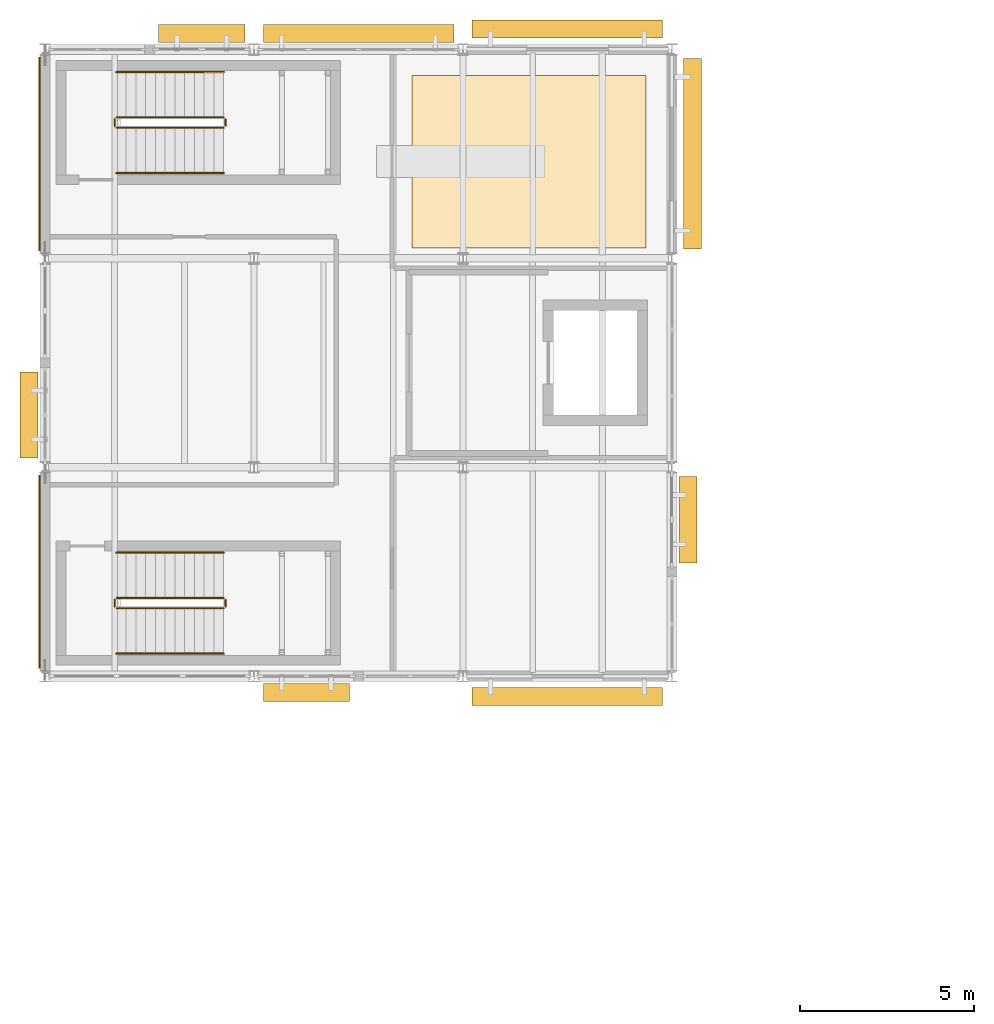
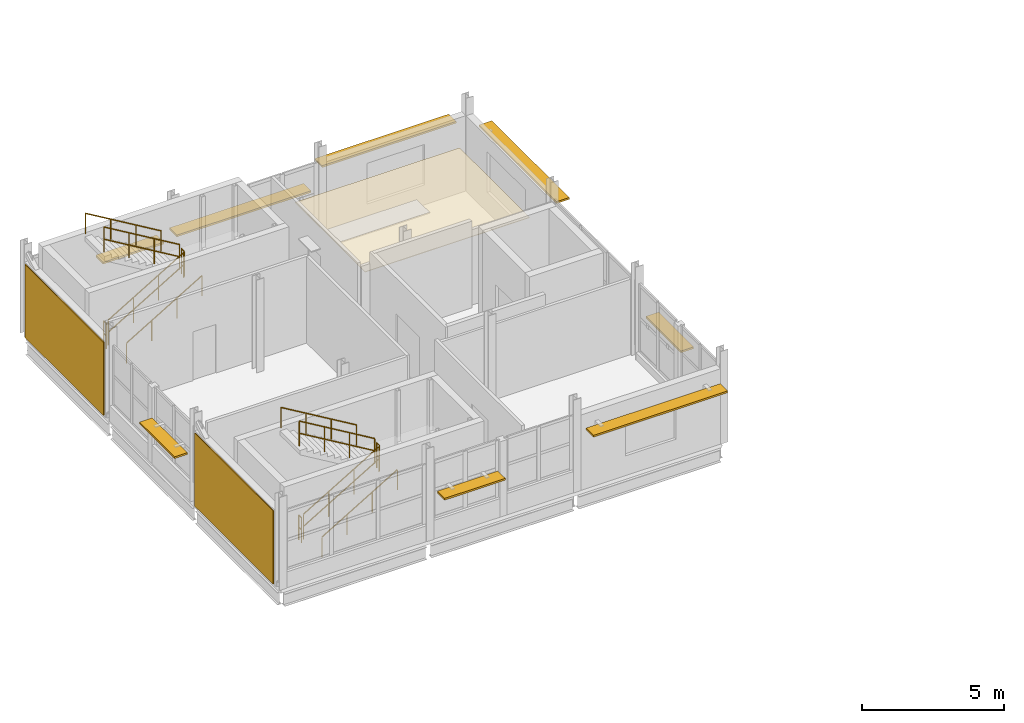
# One storey, part 44 of 45: 12 railings, 8 shading devices, 3 coverings.
"""IFC4 building model written with IfcOpenShell, lengths in metres."""

import ifcopenshell
import ifcopenshell.guid

model = None  # the IFC model being written
_history = None  # IfcOwnerHistory: only IFC2X3 demands one
_inside = {}  # id of a spatial element -> (the spatial element, [elements in it])
_under = {}  # id of a project, library or spatial element -> (it, [spatial elements below it])
_declared = {}  # id of a project -> (the project, [libraries it declares])
_typed = {}  # id of a type object -> (the type object, [elements of that type])
_made_of = {}  # id of a material, layer set ... -> (it, [elements and type objects made of it])


def new_model(schema):
    """Start an empty IFC model of exactly this schema.

    Asked for "IFC4X3", IfcOpenShell would pick the latest addendum, in which some entities
    have other attributes; the version numbers below select the first issue.
    IFC2X3 requires an IfcOwnerHistory on every rooted entity: one is made here for all.
    """
    global model, _history
    if schema == "IFC4X3":
        model = ifcopenshell.file(schema_version=(4, 3, 0, 0))
    else:
        model = ifcopenshell.file(schema=schema)
    _inside.clear()
    _under.clear()
    _declared.clear()
    _typed.clear()
    _made_of.clear()
    _history = None
    if model.schema == "IFC2X3":
        org = make("IfcOrganization", Name="unknown")
        user = make(
            "IfcPersonAndOrganization",
            ThePerson=make("IfcPerson", FamilyName="unknown"),
            TheOrganization=org,
        )
        app = make(
            "IfcApplication",
            ApplicationDeveloper=org,
            Version="unknown",
            ApplicationFullName="unknown",
            ApplicationIdentifier="unknown",
        )
        _history = make(
            "IfcOwnerHistory",
            OwningUser=user,
            OwningApplication=app,
            ChangeAction="ADDED",
            CreationDate=0,
        )
    return model


def make(cls, **values):
    """One entity of the class cls with the attributes given. An attribute that is None is left unset."""
    return model.create_entity(
        cls, **{name: value for name, value in values.items() if value is not None}
    )


def rooted(cls, **values):
    """An entity with a GlobalId (a new one), such as an element, a storey or a relation."""
    return make(cls, GlobalId=ifcopenshell.guid.new(), OwnerHistory=_history, **values)


def si_unit(unit_type, name, prefix=None):
    """IfcSIUnit, for example si_unit("LENGTHUNIT", "METRE", prefix="MILLI")."""
    return make("IfcSIUnit", UnitType=unit_type, Prefix=prefix, Name=name)


def assignment(units):
    """IfcUnitAssignment: the units of a project."""
    return None if units is None else make("IfcUnitAssignment", Units=units)


def point(xyz):
    """IfcCartesianPoint."""
    return None if xyz is None else make("IfcCartesianPoint", Coordinates=xyz)


def direction(xyz):
    """IfcDirection."""
    return None if xyz is None else make("IfcDirection", DirectionRatios=xyz)


def frame(location, z_axis=None, x_axis=None):
    """IfcAxis2Placement3D, a coordinate frame: its origin and axes. An axis left out is left unset."""
    return make(
        "IfcAxis2Placement3D",
        Location=point(location),
        Axis=direction(z_axis),
        RefDirection=direction(x_axis),
    )


def frame_2d(location, x_axis=None):
    """IfcAxis2Placement2D, a coordinate frame in the plane: its origin and x axis."""
    return make(
        "IfcAxis2Placement2D", Location=point(location), RefDirection=direction(x_axis)
    )


def origin():
    """The frame at (0, 0, 0) with its axes left unset."""
    return frame((0.0, 0.0, 0.0))


def origin_2d():
    """The frame at (0, 0) in the plane with its x axis left unset."""
    return frame_2d((0.0, 0.0))


def place(relative_to, where):
    """IfcLocalPlacement: puts the frame where relative to a parent placement (None: the world)."""
    return make(
        "IfcLocalPlacement", PlacementRelTo=relative_to, RelativePlacement=where
    )


def context(
    kind, dimensions, precision=None, world=None, true_north=None, identifier=None
):
    """IfcGeometricRepresentationContext, for example the 3D "Model" context."""
    return make(
        "IfcGeometricRepresentationContext",
        ContextIdentifier=identifier,
        ContextType=kind,
        CoordinateSpaceDimension=dimensions,
        Precision=precision,
        WorldCoordinateSystem=world,
        TrueNorth=true_north,
    )


def subcontext(parent, identifier, kind, view, scale=None):
    """IfcGeometricRepresentationSubContext, for example "Body" below "Model"."""
    return make(
        "IfcGeometricRepresentationSubContext",
        ContextIdentifier=identifier,
        ContextType=kind,
        ParentContext=parent,
        TargetScale=scale,
        TargetView=view,
    )


def project(units=None, contexts=None):
    """IfcProject with its units and contexts."""
    return rooted(
        "IfcProject",
        Name="project",
        RepresentationContexts=contexts,
        UnitsInContext=assignment(units),
    )


def spatial(cls, under=None, at=None, **own):
    """A site, building, storey or space (cls), placed at a placement, below another one or the project."""
    s = rooted(cls, ObjectPlacement=at, **own)
    if under is not None:
        _under.setdefault(under.id(), (under, []))[1].append(s)
    return s


def polyline(points):
    """IfcPolyline through the points."""
    return make("IfcPolyline", Points=[point(p) for p in points])


def profile(cls, at=None, kind="AREA", **sizes):
    """A parametric profile (cls). Its sizes go by their IFC names, for example OverallWidth=200.0."""
    return make(cls, ProfileType=kind, Position=at, **sizes)


def rectangle(**sizes):
    """IfcRectangleProfileDef."""
    return profile("IfcRectangleProfileDef", **sizes)


def circle(**sizes):
    """IfcCircleProfileDef."""
    return profile("IfcCircleProfileDef", **sizes)


def outline(outer, holes=None, kind="AREA"):
    """IfcArbitraryClosedProfileDef: a profile drawn as a closed curve; with holes, ...WithVoids."""
    if holes is None:
        return make("IfcArbitraryClosedProfileDef", ProfileType=kind, OuterCurve=outer)
    return make(
        "IfcArbitraryProfileDefWithVoids",
        ProfileType=kind,
        OuterCurve=outer,
        InnerCurves=holes,
    )


def extrude(swept, where, along, depth):
    """IfcExtrudedAreaSolid: the profile swept, set in the frame where, extruded along a direction by depth."""
    return make(
        "IfcExtrudedAreaSolid",
        SweptArea=swept,
        Position=where,
        ExtrudedDirection=direction(along),
        Depth=depth,
    )


def shape(context_of_items, identifier, shape_type, items):
    """IfcShapeRepresentation: the items that make up one representation, for example the "Body"."""
    return make(
        "IfcShapeRepresentation",
        ContextOfItems=context_of_items,
        RepresentationIdentifier=identifier,
        RepresentationType=shape_type,
        Items=items,
    )


def material(Name=None, Category=None):
    """IfcMaterial."""
    return make("IfcMaterial", Name=Name, Category=Category)


def layer(
    of_material, thickness, ventilated=None, Name=None, Category=None, Priority=None
):
    """IfcMaterialLayer: one layer of a wall or slab, of a material (None: an air gap)."""
    return make(
        "IfcMaterialLayer",
        Material=of_material,
        LayerThickness=thickness,
        IsVentilated=ventilated,
        Name=Name,
        Category=Category,
        Priority=Priority,
    )


def layer_set(layers, Name=None):
    """IfcMaterialLayerSet."""
    return make("IfcMaterialLayerSet", MaterialLayers=layers, LayerSetName=Name)


def made_of(thing, what):
    """Note that an element or type object is made of a material, layer set ...; save() writes the relation."""
    if what is not None:
        _made_of.setdefault(what.id(), (what, []))[1].append(thing)
    return thing


def type_object(cls, material=None, **own):
    """A type object (cls), such as IfcWallType, which elements share."""
    return made_of(rooted(cls, **own), material)


def element(
    cls,
    number,
    at=None,
    inside=None,
    cuts=None,
    type_object=None,
    material=None,
    context=None,
    identifier="Body",
    shape_type=None,
    held_by="IfcProductDefinitionShape",
    body=None,
    shapes=None,
    **own,
):
    """One element of the class cls, such as IfcWall. Its Tag is "e" and its number.

    at: its placement. inside: the storey or other place that contains it. cuts: it is an
    opening in that element (IfcRelVoidsElement). A single representation is given by context,
    identifier, shape_type and body (its items); several are given by shapes. held_by: the class
    of the entity that holds the representations. save() writes the other relations.
    """
    e = rooted(cls, Tag="e%d" % number, ObjectPlacement=at, **own)
    if body is not None:
        shapes = [shape(context, identifier, shape_type, body)]
    if shapes is not None:
        e.Representation = make(held_by, Representations=shapes)
    if inside is not None:
        _inside.setdefault(inside.id(), (inside, []))[1].append(e)
    if cuts is not None:
        rooted(
            "IfcRelVoidsElement", RelatingBuildingElement=cuts, RelatedOpeningElement=e
        )
    if type_object is not None:
        _typed.setdefault(type_object.id(), (type_object, []))[1].append(e)
    return made_of(e, material)


def aggregate(whole, parts):
    """IfcRelAggregates: a whole, such as a stair, and the parts it consists of."""
    return rooted("IfcRelAggregates", RelatingObject=whole, RelatedObjects=parts)


def save(model, path):
    """Write the relations noted so far, then the file.

    IfcRelAggregates (storeys below a building ...), IfcRelContainedInSpatialStructure (elements
    in a storey), IfcRelDefinesByType, IfcRelAssociatesMaterial and IfcRelDeclares: one each for
    every whole, place, type object, material and project.
    """
    for whole, parts in _under.values():
        aggregate(whole, parts)
    for where, things in _inside.values():
        rooted(
            "IfcRelContainedInSpatialStructure",
            RelatedElements=things,
            RelatingStructure=where,
        )
    for kind, things in _typed.values():
        rooted("IfcRelDefinesByType", RelatedObjects=things, RelatingType=kind)
    for what, things in _made_of.values():
        rooted("IfcRelAssociatesMaterial", RelatedObjects=things, RelatingMaterial=what)
    for by, libraries in _declared.values():
        rooted("IfcRelDeclares", RelatingContext=by, RelatedDefinitions=libraries)
    model.write(path)


model = new_model("IFC4")

# Units and contexts
model_context = context("Model", 3, precision=1e-05, world=origin(), true_north=direction((0.0, 1.0)))
body_context = subcontext(model_context, "Body", "Model", "MODEL_VIEW")
ifc_project = project(units=[si_unit("LENGTHUNIT", "METRE"), si_unit("AREAUNIT", "SQUARE_METRE"), si_unit("VOLUMEUNIT", "CUBIC_METRE"), si_unit("PLANEANGLEUNIT", "RADIAN"), si_unit("MASSUNIT", "GRAM", prefix="KILO")], contexts=[model_context])

# Site, building, storey
site_placement = place(None, origin())
site = spatial("IfcSite", under=ifc_project, at=site_placement, CompositionType="ELEMENT")
building_placement = place(site_placement, origin())
building = spatial("IfcBuilding", under=site, at=building_placement, Name="Siltcreek Boulevard Central Fire Station", CompositionType="ELEMENT")
storey_placement = place(building_placement, frame((0.0, 0.0, 10.0)))
storey = spatial("IfcBuildingStorey", under=building, at=storey_placement, Name="L03", CompositionType="ELEMENT", Elevation=10.0)

# Coverings
ifc_material_1 = material(Name="Mineral-fiber acoustic ceiling tile", Category="gypsum")
ifc_layer_1 = layer(ifc_material_1, 0.02490234375, Name="Mineral-fiber acoustic ceiling tile")
ifc_layer_set_1 = layer_set([ifc_layer_1], Name="Mineral-fiber acoustic ceiling tile")
covering_type_1 = type_object("IfcCoveringType", Name="COV_CEIL_ACT", PredefinedType="CEILING", material=ifc_layer_set_1)
covering_placement = place(storey_placement, frame((0.0, 0.0, 2.419921875)))
element("IfcCovering", 1, at=covering_placement, inside=storey, type_object=covering_type_1, Name="L03 Vertical Ventilation Lab L03 acoustic ceiling ACT-027", PredefinedType="CEILING", context=body_context, shape_type="SweptSolid", body=[
    extrude(outline(polyline([(52.5400390625, 106.5), (59.25, 106.5), (59.25, 111.449951171875), (52.5400390625, 111.449951171875), (52.5400390625, 106.5)])), origin(), (0.0, 0.0, 1.0), 0.025146484375),
])
ifc_material_2 = material(Name="Crisp white ribbed aluminum facade panel", Category="aluminium")
ifc_layer_2 = layer(ifc_material_2, 0.0400390625, Name="Crisp white ribbed aluminum facade panel")
ifc_layer_set_2 = layer_set([ifc_layer_2], Name="Crisp white ribbed aluminum facade panel")
covering_type_2 = type_object("IfcCoveringType", Name="COV_CLAD_WHITE", PredefinedType="CLADDING", material=ifc_layer_set_2)
for number, where, z_axis, x_axis, name in (
    (2, (41.8369140625, 97.199951171875, 0.0498046875), (0.0, 0.0, 1.0), (0.0, -1.0, 0.0), "L03 V3 ventilated facade cladding panel CL-012"),
    (3, (41.8369140625, 109.199951171875, 0.0498046875), (0.0, 0.0, 1.0), (0.0, -1.0, 0.0), "L03 V3 ventilated facade cladding panel CL-013"),
):
    element("IfcCovering", number, at=place(storey_placement, frame(where, z_axis=z_axis, x_axis=x_axis)), inside=storey, type_object=covering_type_2, Name=name, PredefinedType="CLADDING", context=body_context, shape_type="SweptSolid", body=[
        extrude(rectangle(XDim=5.550048828125, YDim=0.0400390625, at=origin_2d()), origin(), (0.0, 0.0, 1.0), 3.153076171875),
    ])

# Railings
ifc_material_3 = material(Name="Painted galvanized steel stair guard", Category="steel")
railing_type_1 = type_object("IfcRailingType", Name="RL_ST_GUARD", PredefinedType="BALUSTRADE", material=ifc_material_3)
railing_1_placement = place(storey_placement, frame((44.050048828125, 96.14990234375, 0.166748046875)))
element("IfcRailing", 4, at=railing_1_placement, inside=storey, type_object=railing_type_1, Name="L03 ST-V3A stair guard 1", PredefinedType="BALUSTRADE", context=body_context, shape_type="SweptSolid", body=[
    extrude(circle(Radius=0.02392578125, at=origin_2d()), frame((0.0, 0.0, 1.076171875), z_axis=(0.859290745958, 0.0, 0.51148745235), x_axis=(0.0, 1.0, 0.0)), (0.0, 0.0, 1.0), 3.584228515625),
    extrude(circle(Radius=0.02392578125, at=origin_2d()), frame((0.0, 0.0, 0.550048828125), z_axis=(0.859290745958, 0.0, 0.51148745235), x_axis=(0.0, 1.0, 0.0)), (0.0, 0.0, 1.0), 3.584228515625),
    extrude(circle(Radius=0.02099609375, at=origin_2d()), origin(), (0.0, 0.0, 1.0), 1.052001953125),
    extrude(circle(Radius=0.02099609375, at=origin_2d()), frame((1.026611328125, 0.0, 0.611083984375)), (0.0, 0.0, 1.0), 1.052001953125),
    extrude(circle(Radius=0.02099609375, at=origin_2d()), frame((2.05322265625, 0.0, 1.22216796875)), (0.0, 0.0, 1.0), 1.052001953125),
    extrude(circle(Radius=0.02099609375, at=origin_2d()), frame((3.079833984375, 0.0, 1.833251953125)), (0.0, 0.0, 1.0), 1.052001953125),
])
railing_2_placement = place(storey_placement, frame((47.179931640625, 96.199951171875, 2.0)))
element("IfcRailing", 5, at=railing_2_placement, inside=storey, type_object=railing_type_1, Name="L03 ST-V3A stair guard 2", PredefinedType="BALUSTRADE", context=body_context, shape_type="SweptSolid", body=[
    extrude(circle(Radius=0.02392578125, at=origin_2d()), frame((0.0, 0.0, 1.076171875), z_axis=(0.0, 1.0, 0.0), x_axis=(-1.0, 0.0, 0.0)), (0.0, 0.0, 1.0), 0.199951171875),
    extrude(circle(Radius=0.02392578125, at=origin_2d()), frame((0.0, 0.0, 0.550048828125), z_axis=(0.0, 1.0, 0.0), x_axis=(-1.0, 0.0, 0.0)), (0.0, 0.0, 1.0), 0.199951171875),
    extrude(circle(Radius=0.02099609375, at=origin_2d()), origin(), (0.0, 0.0, 1.0), 1.052001953125),
    extrude(circle(Radius=0.02099609375, at=origin_2d()), frame((0.0, 0.199951171875, 0.0)), (0.0, 0.0, 1.0), 1.052001953125),
])
railing_3_placement = place(storey_placement, frame((47.1298828125, 96.449951171875, 2.166748046875)))
element("IfcRailing", 6, at=railing_3_placement, inside=storey, type_object=railing_type_1, Name="L03 ST-V3A stair guard 3", PredefinedType="BALUSTRADE", context=body_context, shape_type="SweptSolid", body=[
    extrude(circle(Radius=0.02392578125, at=origin_2d()), frame((0.0, 0.0, 1.076171875), z_axis=(-0.859290745958, 0.0, 0.51148745235), x_axis=(0.0, -1.0, 0.0)), (0.0, 0.0, 1.0), 3.584228515625),
    extrude(circle(Radius=0.02392578125, at=origin_2d()), frame((0.0, 0.0, 0.550048828125), z_axis=(-0.859290745958, 0.0, 0.51148745235), x_axis=(0.0, -1.0, 0.0)), (0.0, 0.0, 1.0), 3.584228515625),
    extrude(circle(Radius=0.02099609375, at=origin_2d()), origin(), (0.0, 0.0, 1.0), 1.052001953125),
    extrude(circle(Radius=0.02099609375, at=origin_2d()), frame((-1.026611328125, 0.0, 0.611083984375)), (0.0, 0.0, 1.0), 1.052001953125),
    extrude(circle(Radius=0.02099609375, at=origin_2d()), frame((-2.05322265625, 0.0, 1.22216796875)), (0.0, 0.0, 1.0), 1.052001953125),
    extrude(circle(Radius=0.02099609375, at=origin_2d()), frame((-3.079833984375, 0.0, 1.833251953125)), (0.0, 0.0, 1.0), 1.052001953125),
])
railing_4_placement = place(storey_placement, frame((44.0, 96.199951171875, 0.0)))
element("IfcRailing", 7, at=railing_4_placement, inside=storey, type_object=railing_type_1, Name="L03 ST-V3A stair guard 4", PredefinedType="BALUSTRADE", context=body_context, shape_type="SweptSolid", body=[
    extrude(circle(Radius=0.02392578125, at=origin_2d()), frame((0.0, 0.0, 1.076171875), z_axis=(0.0, 1.0, 0.0), x_axis=(-1.0, 0.0, 0.0)), (0.0, 0.0, 1.0), 0.199951171875),
    extrude(circle(Radius=0.02392578125, at=origin_2d()), frame((0.0, 0.0, 0.550048828125), z_axis=(0.0, 1.0, 0.0), x_axis=(-1.0, 0.0, 0.0)), (0.0, 0.0, 1.0), 0.199951171875),
    extrude(circle(Radius=0.02099609375, at=origin_2d()), origin(), (0.0, 0.0, 1.0), 1.052001953125),
    extrude(circle(Radius=0.02099609375, at=origin_2d()), frame((0.0, 0.199951171875, 0.0)), (0.0, 0.0, 1.0), 1.052001953125),
])
railing_5_placement = place(storey_placement, frame((44.050048828125, 109.949951171875, 0.166748046875)))
element("IfcRailing", 8, at=railing_5_placement, inside=storey, type_object=railing_type_1, Name="L03 ST-V3B stair guard 1", PredefinedType="BALUSTRADE", context=body_context, shape_type="SweptSolid", body=[
    extrude(circle(Radius=0.02392578125, at=origin_2d()), frame((0.0, 0.0, 1.076171875), z_axis=(0.859290745958, 0.0, 0.51148745235), x_axis=(0.0, 1.0, 0.0)), (0.0, 0.0, 1.0), 3.584228515625),
    extrude(circle(Radius=0.02392578125, at=origin_2d()), frame((0.0, 0.0, 0.550048828125), z_axis=(0.859290745958, 0.0, 0.51148745235), x_axis=(0.0, 1.0, 0.0)), (0.0, 0.0, 1.0), 3.584228515625),
    extrude(circle(Radius=0.02099609375, at=origin_2d()), origin(), (0.0, 0.0, 1.0), 1.052001953125),
    extrude(circle(Radius=0.02099609375, at=origin_2d()), frame((1.026611328125, 0.0, 0.611083984375)), (0.0, 0.0, 1.0), 1.052001953125),
    extrude(circle(Radius=0.02099609375, at=origin_2d()), frame((2.05322265625, 0.0, 1.22216796875)), (0.0, 0.0, 1.0), 1.052001953125),
    extrude(circle(Radius=0.02099609375, at=origin_2d()), frame((3.079833984375, 0.0, 1.833251953125)), (0.0, 0.0, 1.0), 1.052001953125),
])
railing_6_placement = place(storey_placement, frame((47.179931640625, 110.0, 2.0)))
element("IfcRailing", 9, at=railing_6_placement, inside=storey, type_object=railing_type_1, Name="L03 ST-V3B stair guard 2", PredefinedType="BALUSTRADE", context=body_context, shape_type="SweptSolid", body=[
    extrude(circle(Radius=0.02392578125, at=origin_2d()), frame((0.0, 0.0, 1.076171875), z_axis=(0.0, 1.0, 0.0), x_axis=(-1.0, 0.0, 0.0)), (0.0, 0.0, 1.0), 0.199951171875),
    extrude(circle(Radius=0.02392578125, at=origin_2d()), frame((0.0, 0.0, 0.550048828125), z_axis=(0.0, 1.0, 0.0), x_axis=(-1.0, 0.0, 0.0)), (0.0, 0.0, 1.0), 0.199951171875),
    extrude(circle(Radius=0.02099609375, at=origin_2d()), origin(), (0.0, 0.0, 1.0), 1.052001953125),
    extrude(circle(Radius=0.02099609375, at=origin_2d()), frame((0.0, 0.199951171875, 0.0)), (0.0, 0.0, 1.0), 1.052001953125),
])
railing_7_placement = place(storey_placement, frame((47.1298828125, 110.25, 2.166748046875)))
element("IfcRailing", 10, at=railing_7_placement, inside=storey, type_object=railing_type_1, Name="L03 ST-V3B stair guard 3", PredefinedType="BALUSTRADE", context=body_context, shape_type="SweptSolid", body=[
    extrude(circle(Radius=0.02392578125, at=origin_2d()), frame((0.0, 0.0, 1.076171875), z_axis=(-0.859290745958, 0.0, 0.51148745235), x_axis=(0.0, -1.0, 0.0)), (0.0, 0.0, 1.0), 3.584228515625),
    extrude(circle(Radius=0.02392578125, at=origin_2d()), frame((0.0, 0.0, 0.550048828125), z_axis=(-0.859290745958, 0.0, 0.51148745235), x_axis=(0.0, -1.0, 0.0)), (0.0, 0.0, 1.0), 3.584228515625),
    extrude(circle(Radius=0.02099609375, at=origin_2d()), origin(), (0.0, 0.0, 1.0), 1.052001953125),
    extrude(circle(Radius=0.02099609375, at=origin_2d()), frame((-1.026611328125, 0.0, 0.611083984375)), (0.0, 0.0, 1.0), 1.052001953125),
    extrude(circle(Radius=0.02099609375, at=origin_2d()), frame((-2.05322265625, 0.0, 1.22216796875)), (0.0, 0.0, 1.0), 1.052001953125),
    extrude(circle(Radius=0.02099609375, at=origin_2d()), frame((-3.079833984375, 0.0, 1.833251953125)), (0.0, 0.0, 1.0), 1.052001953125),
])
railing_8_placement = place(storey_placement, frame((44.0, 110.0, 0.0)))
element("IfcRailing", 11, at=railing_8_placement, inside=storey, type_object=railing_type_1, Name="L03 ST-V3B stair guard 4", PredefinedType="BALUSTRADE", context=body_context, shape_type="SweptSolid", body=[
    extrude(circle(Radius=0.02392578125, at=origin_2d()), frame((0.0, 0.0, 1.076171875), z_axis=(0.0, 1.0, 0.0), x_axis=(-1.0, 0.0, 0.0)), (0.0, 0.0, 1.0), 0.199951171875),
    extrude(circle(Radius=0.02392578125, at=origin_2d()), frame((0.0, 0.0, 0.550048828125), z_axis=(0.0, 1.0, 0.0), x_axis=(-1.0, 0.0, 0.0)), (0.0, 0.0, 1.0), 0.199951171875),
    extrude(circle(Radius=0.02099609375, at=origin_2d()), origin(), (0.0, 0.0, 1.0), 1.052001953125),
    extrude(circle(Radius=0.02099609375, at=origin_2d()), frame((0.0, 0.199951171875, 0.0)), (0.0, 0.0, 1.0), 1.052001953125),
])
ifc_material_4 = material(Name="Brushed stainless steel stair handrail", Category="steel")
railing_type_2 = type_object("IfcRailingType", Name="RL_ST_HAND", PredefinedType="HANDRAIL", material=ifc_material_4)
railing_9_placement = place(storey_placement, frame((44.050048828125, 94.85009765625, 0.166748046875)))
element("IfcRailing", 12, at=railing_9_placement, inside=storey, type_object=railing_type_2, Name="L03 ST-V3A stair handrail 1", PredefinedType="HANDRAIL", context=body_context, shape_type="SweptSolid", body=[
    extrude(circle(Radius=0.02392578125, at=origin_2d()), frame((0.0, 0.0, 0.8759765625), z_axis=(0.859290745958, 0.0, 0.51148745235), x_axis=(0.0, 1.0, 0.0)), (0.0, 0.0, 1.0), 3.584228515625),
    extrude(circle(Radius=0.02099609375, at=origin_2d()), origin(), (0.0, 0.0, 1.0), 0.851806640625),
    extrude(circle(Radius=0.02099609375, at=origin_2d()), frame((1.026611328125, 0.0, 0.611083984375)), (0.0, 0.0, 1.0), 0.851806640625),
    extrude(circle(Radius=0.02099609375, at=origin_2d()), frame((2.05322265625, 0.0, 1.22216796875)), (0.0, 0.0, 1.0), 0.851806640625),
    extrude(circle(Radius=0.02099609375, at=origin_2d()), frame((3.079833984375, 0.0, 1.833251953125)), (0.0, 0.0, 1.0), 0.851806640625),
])
railing_10_placement = place(storey_placement, frame((47.1298828125, 97.75, 2.166748046875)))
element("IfcRailing", 13, at=railing_10_placement, inside=storey, type_object=railing_type_2, Name="L03 ST-V3A stair handrail 2", PredefinedType="HANDRAIL", context=body_context, shape_type="SweptSolid", body=[
    extrude(circle(Radius=0.02392578125, at=origin_2d()), frame((0.0, 0.0, 0.8759765625), z_axis=(-0.859290745958, 0.0, 0.51148745235), x_axis=(0.0, -1.0, 0.0)), (0.0, 0.0, 1.0), 3.584228515625),
    extrude(circle(Radius=0.02099609375, at=origin_2d()), origin(), (0.0, 0.0, 1.0), 0.851806640625),
    extrude(circle(Radius=0.02099609375, at=origin_2d()), frame((-1.026611328125, 0.0, 0.611083984375)), (0.0, 0.0, 1.0), 0.851806640625),
    extrude(circle(Radius=0.02099609375, at=origin_2d()), frame((-2.05322265625, 0.0, 1.22216796875)), (0.0, 0.0, 1.0), 0.851806640625),
    extrude(circle(Radius=0.02099609375, at=origin_2d()), frame((-3.079833984375, 0.0, 1.833251953125)), (0.0, 0.0, 1.0), 0.851806640625),
])
railing_11_placement = place(storey_placement, frame((44.050048828125, 108.64990234375, 0.166748046875)))
element("IfcRailing", 14, at=railing_11_placement, inside=storey, type_object=railing_type_2, Name="L03 ST-V3B stair handrail 1", PredefinedType="HANDRAIL", context=body_context, shape_type="SweptSolid", body=[
    extrude(circle(Radius=0.02392578125, at=origin_2d()), frame((0.0, 0.0, 0.8759765625), z_axis=(0.859290745958, 0.0, 0.51148745235), x_axis=(0.0, 1.0, 0.0)), (0.0, 0.0, 1.0), 3.584228515625),
    extrude(circle(Radius=0.02099609375, at=origin_2d()), origin(), (0.0, 0.0, 1.0), 0.851806640625),
    extrude(circle(Radius=0.02099609375, at=origin_2d()), frame((1.026611328125, 0.0, 0.611083984375)), (0.0, 0.0, 1.0), 0.851806640625),
    extrude(circle(Radius=0.02099609375, at=origin_2d()), frame((2.05322265625, 0.0, 1.22216796875)), (0.0, 0.0, 1.0), 0.851806640625),
    extrude(circle(Radius=0.02099609375, at=origin_2d()), frame((3.079833984375, 0.0, 1.833251953125)), (0.0, 0.0, 1.0), 0.851806640625),
])
railing_12_placement = place(storey_placement, frame((47.1298828125, 111.550048828125, 2.166748046875)))
element("IfcRailing", 15, at=railing_12_placement, inside=storey, type_object=railing_type_2, Name="L03 ST-V3B stair handrail 2", PredefinedType="HANDRAIL", context=body_context, shape_type="SweptSolid", body=[
    extrude(circle(Radius=0.02392578125, at=origin_2d()), frame((0.0, 0.0, 0.8759765625), z_axis=(-0.859290745958, 0.0, 0.51148745235), x_axis=(0.0, -1.0, 0.0)), (0.0, 0.0, 1.0), 3.584228515625),
    extrude(circle(Radius=0.02099609375, at=origin_2d()), origin(), (0.0, 0.0, 1.0), 0.851806640625),
    extrude(circle(Radius=0.02099609375, at=origin_2d()), frame((-1.026611328125, 0.0, 0.611083984375)), (0.0, 0.0, 1.0), 0.851806640625),
    extrude(circle(Radius=0.02099609375, at=origin_2d()), frame((-2.05322265625, 0.0, 1.22216796875)), (0.0, 0.0, 1.0), 0.851806640625),
    extrude(circle(Radius=0.02099609375, at=origin_2d()), frame((-3.079833984375, 0.0, 1.833251953125)), (0.0, 0.0, 1.0), 0.851806640625),
])

# Shading devices
ifc_material_5 = material(Name="Frey sage-green anodized tubular aluminum sunshade", Category="aluminium")
ifc_layer_3 = layer(ifc_material_5, 0.080078125, Name="Frey sage-green anodized tubular aluminum sunshade")
ifc_layer_set_3 = layer_set([ifc_layer_3], Name="Frey sage-green anodized tubular aluminum sunshade")
shading_device_type = type_object("IfcShadingDeviceType", Name="SHD_BRISE", PredefinedType="USERDEFINED", material=ifc_layer_set_3)
shading_device_1_placement = place(storey_placement, frame((49.50244140625, 93.739990234375, 1.984375), z_axis=(0.0, 0.0, 1.0), x_axis=(1.0, 0.0, 0.0)))
element("IfcShadingDevice", 16, at=shading_device_1_placement, inside=storey, type_object=shading_device_type, Name="Anodized tubular aluminum brise-soleil SS-042", ObjectType="SUNSHADE", PredefinedType="USERDEFINED", context=body_context, shape_type="SweptSolid", body=[
    extrude(rectangle(XDim=2.47509765625, YDim=0.52001953125, at=origin_2d()), origin(), (0.0, 0.0, 1.0), 0.080078125),
])
shading_device_2_placement = place(storey_placement, frame((57.0, 93.614990234375, 2.679931640625), z_axis=(0.0, 0.0, 1.0), x_axis=(1.0, 0.0, 0.0)))
element("IfcShadingDevice", 17, at=shading_device_2_placement, inside=storey, type_object=shading_device_type, Name="Anodized tubular aluminum brise-soleil SS-043", ObjectType="SUNSHADE", PredefinedType="USERDEFINED", context=body_context, shape_type="SweptSolid", body=[
    extrude(rectangle(XDim=5.469970703125, YDim=0.52001953125, at=origin_2d()), origin(), (0.0, 0.0, 1.0), 0.080078125),
])
shading_device_3_placement = place(storey_placement, frame((46.49755859375, 112.659912109375, 1.744384765625), z_axis=(0.0, 0.0, 1.0), x_axis=(-1.0, 0.0, 0.0)))
element("IfcShadingDevice", 18, at=shading_device_3_placement, inside=storey, type_object=shading_device_type, Name="Anodized tubular aluminum brise-soleil SS-044", ObjectType="SUNSHADE", PredefinedType="USERDEFINED", context=body_context, shape_type="SweptSolid", body=[
    extrude(rectangle(XDim=2.47509765625, YDim=0.52001953125, at=origin_2d()), origin(), (0.0, 0.0, 1.0), 0.080078125),
])
for number, where, z_axis, x_axis, name in (
    (19, (51.0, 112.659912109375, 1.864501953125), (0.0, 0.0, 1.0), (-1.0, 0.0, 0.0), "Anodized tubular aluminum brise-soleil SS-045"),
    (20, (57.0, 112.784912109375, 2.679931640625), (0.0, 0.0, 1.0), (-1.0, 0.0, 0.0), "Anodized tubular aluminum brise-soleil SS-046"),
):
    element("IfcShadingDevice", number, at=place(storey_placement, frame(where, z_axis=z_axis, x_axis=x_axis)), inside=storey, type_object=shading_device_type, Name=name, ObjectType="SUNSHADE", PredefinedType="USERDEFINED", context=body_context, shape_type="SweptSolid", body=[
        extrude(rectangle(XDim=5.469970703125, YDim=0.52001953125, at=origin_2d()), origin(), (0.0, 0.0, 1.0), 0.080078125),
    ])
for number, where, z_axis, x_axis, name in (
    (21, (41.5400390625, 101.702392578125, 1.986572265625), (0.0, 0.0, 1.0), (0.0, -1.0, 0.0), "Anodized tubular aluminum brise-soleil SS-047"),
    (22, (60.4599609375, 98.697509765625, 1.74658203125), (0.0, 0.0, 1.0), (0.0, 1.0, 0.0), "Anodized tubular aluminum brise-soleil SS-048"),
):
    element("IfcShadingDevice", number, at=place(storey_placement, frame(where, z_axis=z_axis, x_axis=x_axis)), inside=storey, type_object=shading_device_type, Name=name, ObjectType="SUNSHADE", PredefinedType="USERDEFINED", context=body_context, shape_type="SweptSolid", body=[
        extrude(rectangle(XDim=2.47509765625, YDim=0.52001953125, at=origin_2d()), origin(), (0.0, 0.0, 1.0), 0.080078125),
    ])
shading_device_4_placement = place(storey_placement, frame((60.5849609375, 109.199951171875, 2.679931640625), z_axis=(0.0, 0.0, 1.0), x_axis=(0.0, 1.0, 0.0)))
element("IfcShadingDevice", 23, at=shading_device_4_placement, inside=storey, type_object=shading_device_type, Name="Anodized tubular aluminum brise-soleil SS-049", ObjectType="SUNSHADE", PredefinedType="USERDEFINED", context=body_context, shape_type="SweptSolid", body=[
    extrude(rectangle(XDim=5.469970703125, YDim=0.52001953125, at=origin_2d()), origin(), (0.0, 0.0, 1.0), 0.080078125),
])

save(model, "model.ifc")
